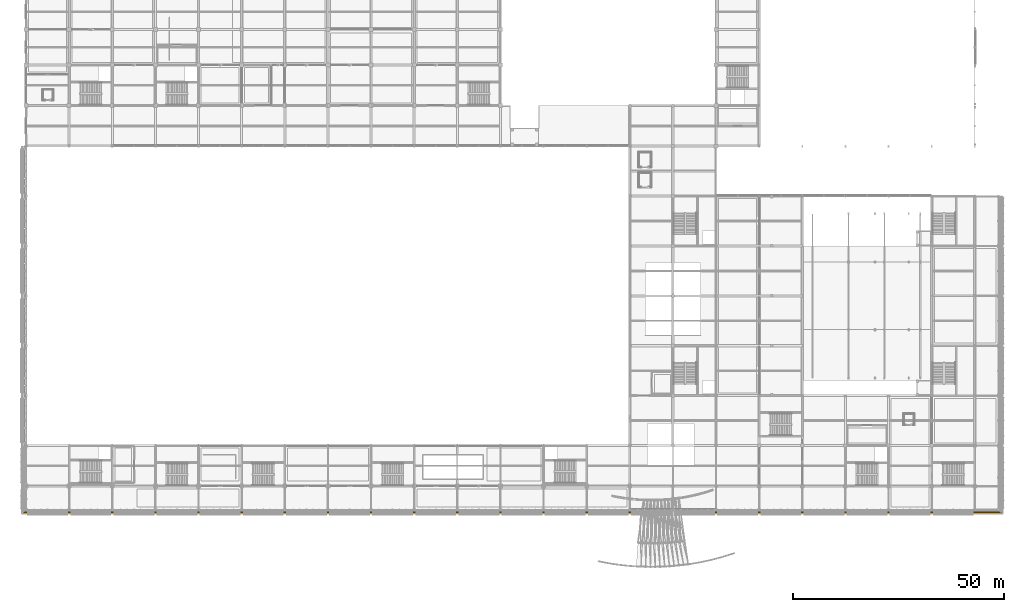
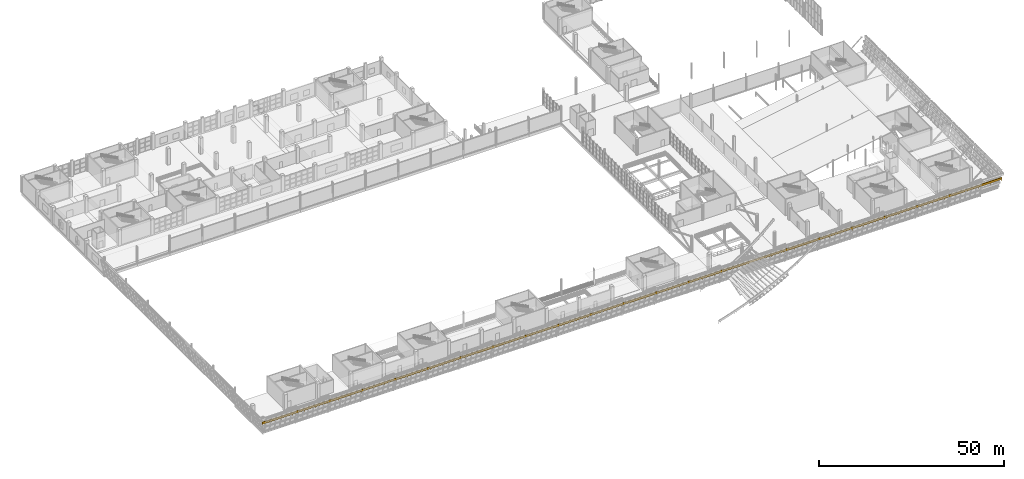
# One storey, part 156 of 175: 1 railing.
"""IFC4 building model written with IfcOpenShell, lengths in metres."""

import ifcopenshell
import ifcopenshell.guid

model = None  # the IFC model being written
_history = None  # IfcOwnerHistory: only IFC2X3 demands one
_inside = {}  # id of a spatial element -> (the spatial element, [elements in it])
_under = {}  # id of a project, library or spatial element -> (it, [spatial elements below it])
_declared = {}  # id of a project -> (the project, [libraries it declares])
_typed = {}  # id of a type object -> (the type object, [elements of that type])
_made_of = {}  # id of a material, layer set ... -> (it, [elements and type objects made of it])


def new_model(schema):
    """Start an empty IFC model of exactly this schema.

    Asked for "IFC4X3", IfcOpenShell would pick the latest addendum, in which some entities
    have other attributes; the version numbers below select the first issue.
    IFC2X3 requires an IfcOwnerHistory on every rooted entity: one is made here for all.
    """
    global model, _history
    if schema == "IFC4X3":
        model = ifcopenshell.file(schema_version=(4, 3, 0, 0))
    else:
        model = ifcopenshell.file(schema=schema)
    _inside.clear()
    _under.clear()
    _declared.clear()
    _typed.clear()
    _made_of.clear()
    _history = None
    if model.schema == "IFC2X3":
        org = make("IfcOrganization", Name="unknown")
        user = make(
            "IfcPersonAndOrganization",
            ThePerson=make("IfcPerson", FamilyName="unknown"),
            TheOrganization=org,
        )
        app = make(
            "IfcApplication",
            ApplicationDeveloper=org,
            Version="unknown",
            ApplicationFullName="unknown",
            ApplicationIdentifier="unknown",
        )
        _history = make(
            "IfcOwnerHistory",
            OwningUser=user,
            OwningApplication=app,
            ChangeAction="ADDED",
            CreationDate=0,
        )
    return model


def make(cls, **values):
    """One entity of the class cls with the attributes given. An attribute that is None is left unset."""
    return model.create_entity(
        cls, **{name: value for name, value in values.items() if value is not None}
    )


def rooted(cls, **values):
    """An entity with a GlobalId (a new one), such as an element, a storey or a relation."""
    return make(cls, GlobalId=ifcopenshell.guid.new(), OwnerHistory=_history, **values)


def si_unit(unit_type, name, prefix=None):
    """IfcSIUnit, for example si_unit("LENGTHUNIT", "METRE", prefix="MILLI")."""
    return make("IfcSIUnit", UnitType=unit_type, Prefix=prefix, Name=name)


def assignment(units):
    """IfcUnitAssignment: the units of a project."""
    return None if units is None else make("IfcUnitAssignment", Units=units)


def point(xyz):
    """IfcCartesianPoint."""
    return None if xyz is None else make("IfcCartesianPoint", Coordinates=xyz)


def direction(xyz):
    """IfcDirection."""
    return None if xyz is None else make("IfcDirection", DirectionRatios=xyz)


def frame(location, z_axis=None, x_axis=None):
    """IfcAxis2Placement3D, a coordinate frame: its origin and axes. An axis left out is left unset."""
    return make(
        "IfcAxis2Placement3D",
        Location=point(location),
        Axis=direction(z_axis),
        RefDirection=direction(x_axis),
    )


def frame_2d(location, x_axis=None):
    """IfcAxis2Placement2D, a coordinate frame in the plane: its origin and x axis."""
    return make(
        "IfcAxis2Placement2D", Location=point(location), RefDirection=direction(x_axis)
    )


def origin():
    """The frame at (0, 0, 0) with its axes left unset."""
    return frame((0.0, 0.0, 0.0))


def origin_2d():
    """The frame at (0, 0) in the plane with its x axis left unset."""
    return frame_2d((0.0, 0.0))


def place(relative_to, where):
    """IfcLocalPlacement: puts the frame where relative to a parent placement (None: the world)."""
    return make(
        "IfcLocalPlacement", PlacementRelTo=relative_to, RelativePlacement=where
    )


def context(
    kind, dimensions, precision=None, world=None, true_north=None, identifier=None
):
    """IfcGeometricRepresentationContext, for example the 3D "Model" context."""
    return make(
        "IfcGeometricRepresentationContext",
        ContextIdentifier=identifier,
        ContextType=kind,
        CoordinateSpaceDimension=dimensions,
        Precision=precision,
        WorldCoordinateSystem=world,
        TrueNorth=true_north,
    )


def subcontext(parent, identifier, kind, view, scale=None):
    """IfcGeometricRepresentationSubContext, for example "Body" below "Model"."""
    return make(
        "IfcGeometricRepresentationSubContext",
        ContextIdentifier=identifier,
        ContextType=kind,
        ParentContext=parent,
        TargetScale=scale,
        TargetView=view,
    )


def project(units=None, contexts=None):
    """IfcProject with its units and contexts."""
    return rooted(
        "IfcProject",
        Name="project",
        RepresentationContexts=contexts,
        UnitsInContext=assignment(units),
    )


def spatial(cls, under=None, at=None, **own):
    """A site, building, storey or space (cls), placed at a placement, below another one or the project."""
    s = rooted(cls, ObjectPlacement=at, **own)
    if under is not None:
        _under.setdefault(under.id(), (under, []))[1].append(s)
    return s


def profile(cls, at=None, kind="AREA", **sizes):
    """A parametric profile (cls). Its sizes go by their IFC names, for example OverallWidth=200.0."""
    return make(cls, ProfileType=kind, Position=at, **sizes)


def rectangle(**sizes):
    """IfcRectangleProfileDef."""
    return profile("IfcRectangleProfileDef", **sizes)


def circle(**sizes):
    """IfcCircleProfileDef."""
    return profile("IfcCircleProfileDef", **sizes)


def extrude(swept, where, along, depth):
    """IfcExtrudedAreaSolid: the profile swept, set in the frame where, extruded along a direction by depth."""
    return make(
        "IfcExtrudedAreaSolid",
        SweptArea=swept,
        Position=where,
        ExtrudedDirection=direction(along),
        Depth=depth,
    )


def shape(context_of_items, identifier, shape_type, items):
    """IfcShapeRepresentation: the items that make up one representation, for example the "Body"."""
    return make(
        "IfcShapeRepresentation",
        ContextOfItems=context_of_items,
        RepresentationIdentifier=identifier,
        RepresentationType=shape_type,
        Items=items,
    )


def material(Name=None, Category=None):
    """IfcMaterial."""
    return make("IfcMaterial", Name=Name, Category=Category)


def made_of(thing, what):
    """Note that an element or type object is made of a material, layer set ...; save() writes the relation."""
    if what is not None:
        _made_of.setdefault(what.id(), (what, []))[1].append(thing)
    return thing


def type_object(cls, material=None, **own):
    """A type object (cls), such as IfcWallType, which elements share."""
    return made_of(rooted(cls, **own), material)


def element(
    cls,
    number,
    at=None,
    inside=None,
    cuts=None,
    type_object=None,
    material=None,
    context=None,
    identifier="Body",
    shape_type=None,
    held_by="IfcProductDefinitionShape",
    body=None,
    shapes=None,
    **own,
):
    """One element of the class cls, such as IfcWall. Its Tag is "e" and its number.

    at: its placement. inside: the storey or other place that contains it. cuts: it is an
    opening in that element (IfcRelVoidsElement). A single representation is given by context,
    identifier, shape_type and body (its items); several are given by shapes. held_by: the class
    of the entity that holds the representations. save() writes the other relations.
    """
    e = rooted(cls, Tag="e%d" % number, ObjectPlacement=at, **own)
    if body is not None:
        shapes = [shape(context, identifier, shape_type, body)]
    if shapes is not None:
        e.Representation = make(held_by, Representations=shapes)
    if inside is not None:
        _inside.setdefault(inside.id(), (inside, []))[1].append(e)
    if cuts is not None:
        rooted(
            "IfcRelVoidsElement", RelatingBuildingElement=cuts, RelatedOpeningElement=e
        )
    if type_object is not None:
        _typed.setdefault(type_object.id(), (type_object, []))[1].append(e)
    return made_of(e, material)


def aggregate(whole, parts):
    """IfcRelAggregates: a whole, such as a stair, and the parts it consists of."""
    return rooted("IfcRelAggregates", RelatingObject=whole, RelatedObjects=parts)


def save(model, path):
    """Write the relations noted so far, then the file.

    IfcRelAggregates (storeys below a building ...), IfcRelContainedInSpatialStructure (elements
    in a storey), IfcRelDefinesByType, IfcRelAssociatesMaterial and IfcRelDeclares: one each for
    every whole, place, type object, material and project.
    """
    for whole, parts in _under.values():
        aggregate(whole, parts)
    for where, things in _inside.values():
        rooted(
            "IfcRelContainedInSpatialStructure",
            RelatedElements=things,
            RelatingStructure=where,
        )
    for kind, things in _typed.values():
        rooted("IfcRelDefinesByType", RelatedObjects=things, RelatingType=kind)
    for what, things in _made_of.values():
        rooted("IfcRelAssociatesMaterial", RelatedObjects=things, RelatingMaterial=what)
    for by, libraries in _declared.values():
        rooted("IfcRelDeclares", RelatingContext=by, RelatedDefinitions=libraries)
    model.write(path)


model = new_model("IFC4")

# Units and contexts
model_context = context("Model", 3, precision=1e-05, world=origin(), true_north=direction((0.0, 1.0)))
body_context = subcontext(model_context, "Body", "Model", "MODEL_VIEW")
ifc_project = project(units=[si_unit("LENGTHUNIT", "METRE"), si_unit("AREAUNIT", "SQUARE_METRE"), si_unit("VOLUMEUNIT", "CUBIC_METRE"), si_unit("PLANEANGLEUNIT", "RADIAN"), si_unit("MASSUNIT", "GRAM", prefix="KILO")], contexts=[model_context])

# Site, building, storey
site_placement = place(None, origin())
site = spatial("IfcSite", under=ifc_project, at=site_placement, CompositionType="ELEMENT")
building_placement = place(site_placement, origin())
building = spatial("IfcBuilding", under=site, at=building_placement, Name="Brelvane Convention Centre", CompositionType="ELEMENT")
storey_placement = place(building_placement, frame((0.0, 0.0, 5.39990234375)))
storey = spatial("IfcBuildingStorey", under=building, at=storey_placement, Name="L01", CompositionType="ELEMENT", Elevation=5.39990234375)

# Railing
ifc_material = material(Name="Steel E350 (350 MPa)", Category="steel")
railing_type = type_object("IfcRailingType", Name="Railing BL-CU-1", PredefinedType="BALUSTRADE", material=ifc_material)
railing_placement = place(storey_placement, frame((-0.6630859375, 12.9970703125, 2.400146484375)))
element("IfcRailing", 1, at=railing_placement, inside=storey, type_object=railing_type, Name="Railing BL-CU-1 L01-cu_hull_s_2", PredefinedType="BALUSTRADE", context=body_context, shape_type="SweptSolid", body=[
    extrude(rectangle(XDim=0.280029296875, YDim=0.6201171875, at=origin_2d()), frame((0.0, 0.0, 0.81005859375), z_axis=(1.0, 0.0, 0.0), x_axis=(0.0, 1.0, 0.0)), (0.0, 0.0, 1.0), 231.26611328125),
    extrude(circle(Radius=0.02099609375, at=origin_2d()), origin(), (0.0, 0.0, 1.0), 1.072021484375),
    extrude(circle(Radius=0.02099609375, at=origin_2d()), frame((1.1982421875, 0.0, 0.0)), (0.0, 0.0, 1.0), 1.072021484375),
    extrude(circle(Radius=0.02099609375, at=origin_2d()), frame((2.396484375, 0.0, 0.0)), (0.0, 0.0, 1.0), 1.072021484375),
    extrude(circle(Radius=0.02099609375, at=origin_2d()), frame((3.5947265625, 0.0, 0.0)), (0.0, 0.0, 1.0), 1.072021484375),
    extrude(circle(Radius=0.02099609375, at=origin_2d()), frame((4.79296875, 0.0, 0.0)), (0.0, 0.0, 1.0), 1.072021484375),
    extrude(circle(Radius=0.02099609375, at=origin_2d()), frame((5.991455078125, 0.0, 0.0)), (0.0, 0.0, 1.0), 1.072021484375),
    extrude(circle(Radius=0.02099609375, at=origin_2d()), frame((7.189697265625, 0.0, 0.0)), (0.0, 0.0, 1.0), 1.072021484375),
    extrude(circle(Radius=0.02099609375, at=origin_2d()), frame((8.387939453125, 0.0, 0.0)), (0.0, 0.0, 1.0), 1.072021484375),
    extrude(circle(Radius=0.02099609375, at=origin_2d()), frame((9.586181640625, 0.0, 0.0)), (0.0, 0.0, 1.0), 1.072021484375),
    extrude(circle(Radius=0.02099609375, at=origin_2d()), frame((10.784423828125, 0.0, 0.0)), (0.0, 0.0, 1.0), 1.072021484375),
    extrude(circle(Radius=0.02099609375, at=origin_2d()), frame((11.982666015625, 0.0, 0.0)), (0.0, 0.0, 1.0), 1.072021484375),
    extrude(circle(Radius=0.02099609375, at=origin_2d()), frame((13.180908203125, 0.0, 0.0)), (0.0, 0.0, 1.0), 1.072021484375),
    extrude(circle(Radius=0.02099609375, at=origin_2d()), frame((14.379150390625, 0.0, 0.0)), (0.0, 0.0, 1.0), 1.072021484375),
    extrude(circle(Radius=0.02099609375, at=origin_2d()), frame((15.577392578125, 0.0, 0.0)), (0.0, 0.0, 1.0), 1.072021484375),
    extrude(circle(Radius=0.02099609375, at=origin_2d()), frame((16.77587890625, 0.0, 0.0)), (0.0, 0.0, 1.0), 1.072021484375),
    extrude(circle(Radius=0.02099609375, at=origin_2d()), frame((17.97412109375, 0.0, 0.0)), (0.0, 0.0, 1.0), 1.072021484375),
    extrude(circle(Radius=0.02099609375, at=origin_2d()), frame((19.17236328125, 0.0, 0.0)), (0.0, 0.0, 1.0), 1.072021484375),
    extrude(circle(Radius=0.02099609375, at=origin_2d()), frame((20.37060546875, 0.0, 0.0)), (0.0, 0.0, 1.0), 1.072021484375),
    extrude(circle(Radius=0.02099609375, at=origin_2d()), frame((21.56884765625, 0.0, 0.0)), (0.0, 0.0, 1.0), 1.072021484375),
    extrude(circle(Radius=0.02099609375, at=origin_2d()), frame((22.76708984375, 0.0, 0.0)), (0.0, 0.0, 1.0), 1.072021484375),
    extrude(circle(Radius=0.02099609375, at=origin_2d()), frame((23.96533203125, 0.0, 0.0)), (0.0, 0.0, 1.0), 1.072021484375),
    extrude(circle(Radius=0.02099609375, at=origin_2d()), frame((25.16357421875, 0.0, 0.0)), (0.0, 0.0, 1.0), 1.072021484375),
    extrude(circle(Radius=0.02099609375, at=origin_2d()), frame((26.362060546875, 0.0, 0.0)), (0.0, 0.0, 1.0), 1.072021484375),
    extrude(circle(Radius=0.02099609375, at=origin_2d()), frame((27.560302734375, 0.0, 0.0)), (0.0, 0.0, 1.0), 1.072021484375),
    extrude(circle(Radius=0.02099609375, at=origin_2d()), frame((28.758544921875, 0.0, 0.0)), (0.0, 0.0, 1.0), 1.072021484375),
    extrude(circle(Radius=0.02099609375, at=origin_2d()), frame((29.956787109375, 0.0, 0.0)), (0.0, 0.0, 1.0), 1.072021484375),
    extrude(circle(Radius=0.02099609375, at=origin_2d()), frame((31.155029296875, 0.0, 0.0)), (0.0, 0.0, 1.0), 1.072021484375),
    extrude(circle(Radius=0.02099609375, at=origin_2d()), frame((32.353271484375, 0.0, 0.0)), (0.0, 0.0, 1.0), 1.072021484375),
    extrude(circle(Radius=0.02099609375, at=origin_2d()), frame((33.551513671875, 0.0, 0.0)), (0.0, 0.0, 1.0), 1.072021484375),
    extrude(circle(Radius=0.02099609375, at=origin_2d()), frame((34.749755859375, 0.0, 0.0)), (0.0, 0.0, 1.0), 1.072021484375),
    extrude(circle(Radius=0.02099609375, at=origin_2d()), frame((35.947998046875, 0.0, 0.0)), (0.0, 0.0, 1.0), 1.072021484375),
    extrude(circle(Radius=0.02099609375, at=origin_2d()), frame((37.146484375, 0.0, 0.0)), (0.0, 0.0, 1.0), 1.072021484375),
    extrude(circle(Radius=0.02099609375, at=origin_2d()), frame((38.3447265625, 0.0, 0.0)), (0.0, 0.0, 1.0), 1.072021484375),
    extrude(circle(Radius=0.02099609375, at=origin_2d()), frame((39.54296875, 0.0, 0.0)), (0.0, 0.0, 1.0), 1.072021484375),
    extrude(circle(Radius=0.02099609375, at=origin_2d()), frame((40.7412109375, 0.0, 0.0)), (0.0, 0.0, 1.0), 1.072021484375),
    extrude(circle(Radius=0.02099609375, at=origin_2d()), frame((41.939453125, 0.0, 0.0)), (0.0, 0.0, 1.0), 1.072021484375),
    extrude(circle(Radius=0.02099609375, at=origin_2d()), frame((43.1376953125, 0.0, 0.0)), (0.0, 0.0, 1.0), 1.072021484375),
    extrude(circle(Radius=0.02099609375, at=origin_2d()), frame((44.3359375, 0.0, 0.0)), (0.0, 0.0, 1.0), 1.072021484375),
    extrude(circle(Radius=0.02099609375, at=origin_2d()), frame((45.5341796875, 0.0, 0.0)), (0.0, 0.0, 1.0), 1.072021484375),
    extrude(circle(Radius=0.02099609375, at=origin_2d()), frame((46.732421875, 0.0, 0.0)), (0.0, 0.0, 1.0), 1.072021484375),
    extrude(circle(Radius=0.02099609375, at=origin_2d()), frame((47.930908203125, 0.0, 0.0)), (0.0, 0.0, 1.0), 1.072021484375),
    extrude(circle(Radius=0.02099609375, at=origin_2d()), frame((49.129150390625, 0.0, 0.0)), (0.0, 0.0, 1.0), 1.072021484375),
    extrude(circle(Radius=0.02099609375, at=origin_2d()), frame((50.327392578125, 0.0, 0.0)), (0.0, 0.0, 1.0), 1.072021484375),
    extrude(circle(Radius=0.02099609375, at=origin_2d()), frame((51.525634765625, 0.0, 0.0)), (0.0, 0.0, 1.0), 1.072021484375),
    extrude(circle(Radius=0.02099609375, at=origin_2d()), frame((52.723876953125, 0.0, 0.0)), (0.0, 0.0, 1.0), 1.072021484375),
    extrude(circle(Radius=0.02099609375, at=origin_2d()), frame((53.922119140625, 0.0, 0.0)), (0.0, 0.0, 1.0), 1.072021484375),
    extrude(circle(Radius=0.02099609375, at=origin_2d()), frame((55.120361328125, 0.0, 0.0)), (0.0, 0.0, 1.0), 1.072021484375),
    extrude(circle(Radius=0.02099609375, at=origin_2d()), frame((56.318603515625, 0.0, 0.0)), (0.0, 0.0, 1.0), 1.072021484375),
    extrude(circle(Radius=0.02099609375, at=origin_2d()), frame((57.516845703125, 0.0, 0.0)), (0.0, 0.0, 1.0), 1.072021484375),
    extrude(circle(Radius=0.02099609375, at=origin_2d()), frame((58.71533203125, 0.0, 0.0)), (0.0, 0.0, 1.0), 1.072021484375),
    extrude(circle(Radius=0.02099609375, at=origin_2d()), frame((59.91357421875, 0.0, 0.0)), (0.0, 0.0, 1.0), 1.072021484375),
    extrude(circle(Radius=0.02099609375, at=origin_2d()), frame((61.11181640625, 0.0, 0.0)), (0.0, 0.0, 1.0), 1.072021484375),
    extrude(circle(Radius=0.02099609375, at=origin_2d()), frame((62.31005859375, 0.0, 0.0)), (0.0, 0.0, 1.0), 1.072021484375),
    extrude(circle(Radius=0.02099609375, at=origin_2d()), frame((63.50830078125, 0.0, 0.0)), (0.0, 0.0, 1.0), 1.072021484375),
    extrude(circle(Radius=0.02099609375, at=origin_2d()), frame((64.70654296875, 0.0, 0.0)), (0.0, 0.0, 1.0), 1.072021484375),
    extrude(circle(Radius=0.02099609375, at=origin_2d()), frame((65.90478515625, 0.0, 0.0)), (0.0, 0.0, 1.0), 1.072021484375),
    extrude(circle(Radius=0.02099609375, at=origin_2d()), frame((67.10302734375, 0.0, 0.0)), (0.0, 0.0, 1.0), 1.072021484375),
    extrude(circle(Radius=0.02099609375, at=origin_2d()), frame((68.30126953125, 0.0, 0.0)), (0.0, 0.0, 1.0), 1.072021484375),
    extrude(circle(Radius=0.02099609375, at=origin_2d()), frame((69.499755859375, 0.0, 0.0)), (0.0, 0.0, 1.0), 1.072021484375),
    extrude(circle(Radius=0.02099609375, at=origin_2d()), frame((70.697998046875, 0.0, 0.0)), (0.0, 0.0, 1.0), 1.072021484375),
    extrude(circle(Radius=0.02099609375, at=origin_2d()), frame((71.896240234375, 0.0, 0.0)), (0.0, 0.0, 1.0), 1.072021484375),
    extrude(circle(Radius=0.02099609375, at=origin_2d()), frame((73.094482421875, 0.0, 0.0)), (0.0, 0.0, 1.0), 1.072021484375),
    extrude(circle(Radius=0.02099609375, at=origin_2d()), frame((74.292724609375, 0.0, 0.0)), (0.0, 0.0, 1.0), 1.072021484375),
    extrude(circle(Radius=0.02099609375, at=origin_2d()), frame((75.490966796875, 0.0, 0.0)), (0.0, 0.0, 1.0), 1.072021484375),
    extrude(circle(Radius=0.02099609375, at=origin_2d()), frame((76.689208984375, 0.0, 0.0)), (0.0, 0.0, 1.0), 1.072021484375),
    extrude(circle(Radius=0.02099609375, at=origin_2d()), frame((77.887451171875, 0.0, 0.0)), (0.0, 0.0, 1.0), 1.072021484375),
    extrude(circle(Radius=0.02099609375, at=origin_2d()), frame((79.0859375, 0.0, 0.0)), (0.0, 0.0, 1.0), 1.072021484375),
    extrude(circle(Radius=0.02099609375, at=origin_2d()), frame((80.2841796875, 0.0, 0.0)), (0.0, 0.0, 1.0), 1.072021484375),
    extrude(circle(Radius=0.02099609375, at=origin_2d()), frame((81.482421875, 0.0, 0.0)), (0.0, 0.0, 1.0), 1.072021484375),
    extrude(circle(Radius=0.02099609375, at=origin_2d()), frame((82.6806640625, 0.0, 0.0)), (0.0, 0.0, 1.0), 1.072021484375),
    extrude(circle(Radius=0.02099609375, at=origin_2d()), frame((83.87890625, 0.0, 0.0)), (0.0, 0.0, 1.0), 1.072021484375),
    extrude(circle(Radius=0.02099609375, at=origin_2d()), frame((85.0771484375, 0.0, 0.0)), (0.0, 0.0, 1.0), 1.072021484375),
    extrude(circle(Radius=0.02099609375, at=origin_2d()), frame((86.275390625, 0.0, 0.0)), (0.0, 0.0, 1.0), 1.072021484375),
    extrude(circle(Radius=0.02099609375, at=origin_2d()), frame((87.4736328125, 0.0, 0.0)), (0.0, 0.0, 1.0), 1.072021484375),
    extrude(circle(Radius=0.02099609375, at=origin_2d()), frame((88.671875, 0.0, 0.0)), (0.0, 0.0, 1.0), 1.072021484375),
    extrude(circle(Radius=0.02099609375, at=origin_2d()), frame((89.870361328125, 0.0, 0.0)), (0.0, 0.0, 1.0), 1.072021484375),
    extrude(circle(Radius=0.02099609375, at=origin_2d()), frame((91.068603515625, 0.0, 0.0)), (0.0, 0.0, 1.0), 1.072021484375),
    extrude(circle(Radius=0.02099609375, at=origin_2d()), frame((92.266845703125, 0.0, 0.0)), (0.0, 0.0, 1.0), 1.072021484375),
    extrude(circle(Radius=0.02099609375, at=origin_2d()), frame((93.465087890625, 0.0, 0.0)), (0.0, 0.0, 1.0), 1.072021484375),
    extrude(circle(Radius=0.02099609375, at=origin_2d()), frame((94.663330078125, 0.0, 0.0)), (0.0, 0.0, 1.0), 1.072021484375),
    extrude(circle(Radius=0.02099609375, at=origin_2d()), frame((95.861572265625, 0.0, 0.0)), (0.0, 0.0, 1.0), 1.072021484375),
    extrude(circle(Radius=0.02099609375, at=origin_2d()), frame((97.059814453125, 0.0, 0.0)), (0.0, 0.0, 1.0), 1.072021484375),
    extrude(circle(Radius=0.02099609375, at=origin_2d()), frame((98.258056640625, 0.0, 0.0)), (0.0, 0.0, 1.0), 1.072021484375),
    extrude(circle(Radius=0.02099609375, at=origin_2d()), frame((99.456298828125, 0.0, 0.0)), (0.0, 0.0, 1.0), 1.072021484375),
    extrude(circle(Radius=0.02099609375, at=origin_2d()), frame((100.65478515625, 0.0, 0.0)), (0.0, 0.0, 1.0), 1.072021484375),
    extrude(circle(Radius=0.02099609375, at=origin_2d()), frame((101.85302734375, 0.0, 0.0)), (0.0, 0.0, 1.0), 1.072021484375),
    extrude(circle(Radius=0.02099609375, at=origin_2d()), frame((103.05126953125, 0.0, 0.0)), (0.0, 0.0, 1.0), 1.072021484375),
    extrude(circle(Radius=0.02099609375, at=origin_2d()), frame((104.24951171875, 0.0, 0.0)), (0.0, 0.0, 1.0), 1.072021484375),
    extrude(circle(Radius=0.02099609375, at=origin_2d()), frame((105.44775390625, 0.0, 0.0)), (0.0, 0.0, 1.0), 1.072021484375),
    extrude(circle(Radius=0.02099609375, at=origin_2d()), frame((106.64599609375, 0.0, 0.0)), (0.0, 0.0, 1.0), 1.072021484375),
    extrude(circle(Radius=0.02099609375, at=origin_2d()), frame((107.84423828125, 0.0, 0.0)), (0.0, 0.0, 1.0), 1.072021484375),
    extrude(circle(Radius=0.02099609375, at=origin_2d()), frame((109.04248046875, 0.0, 0.0)), (0.0, 0.0, 1.0), 1.072021484375),
    extrude(circle(Radius=0.02099609375, at=origin_2d()), frame((110.24072265625, 0.0, 0.0)), (0.0, 0.0, 1.0), 1.072021484375),
    extrude(circle(Radius=0.02099609375, at=origin_2d()), frame((111.439208984375, 0.0, 0.0)), (0.0, 0.0, 1.0), 1.072021484375),
    extrude(circle(Radius=0.02099609375, at=origin_2d()), frame((112.637451171875, 0.0, 0.0)), (0.0, 0.0, 1.0), 1.072021484375),
    extrude(circle(Radius=0.02099609375, at=origin_2d()), frame((113.835693359375, 0.0, 0.0)), (0.0, 0.0, 1.0), 1.072021484375),
    extrude(circle(Radius=0.02099609375, at=origin_2d()), frame((115.033935546875, 0.0, 0.0)), (0.0, 0.0, 1.0), 1.072021484375),
    extrude(circle(Radius=0.02099609375, at=origin_2d()), frame((116.232177734375, 0.0, 0.0)), (0.0, 0.0, 1.0), 1.072021484375),
    extrude(circle(Radius=0.02099609375, at=origin_2d()), frame((117.430419921875, 0.0, 0.0)), (0.0, 0.0, 1.0), 1.072021484375),
    extrude(circle(Radius=0.02099609375, at=origin_2d()), frame((118.628662109375, 0.0, 0.0)), (0.0, 0.0, 1.0), 1.072021484375),
    extrude(circle(Radius=0.02099609375, at=origin_2d()), frame((119.826904296875, 0.0, 0.0)), (0.0, 0.0, 1.0), 1.072021484375),
    extrude(circle(Radius=0.02099609375, at=origin_2d()), frame((121.025390625, 0.0, 0.0)), (0.0, 0.0, 1.0), 1.072021484375),
    extrude(circle(Radius=0.02099609375, at=origin_2d()), frame((122.2236328125, 0.0, 0.0)), (0.0, 0.0, 1.0), 1.072021484375),
    extrude(circle(Radius=0.02099609375, at=origin_2d()), frame((123.421875, 0.0, 0.0)), (0.0, 0.0, 1.0), 1.072021484375),
    extrude(circle(Radius=0.02099609375, at=origin_2d()), frame((124.6201171875, 0.0, 0.0)), (0.0, 0.0, 1.0), 1.072021484375),
    extrude(circle(Radius=0.02099609375, at=origin_2d()), frame((125.818359375, 0.0, 0.0)), (0.0, 0.0, 1.0), 1.072021484375),
    extrude(circle(Radius=0.02099609375, at=origin_2d()), frame((127.0166015625, 0.0, 0.0)), (0.0, 0.0, 1.0), 1.072021484375),
    extrude(circle(Radius=0.02099609375, at=origin_2d()), frame((128.21484375, 0.0, 0.0)), (0.0, 0.0, 1.0), 1.072021484375),
    extrude(circle(Radius=0.02099609375, at=origin_2d()), frame((129.4130859375, 0.0, 0.0)), (0.0, 0.0, 1.0), 1.072021484375),
    extrude(circle(Radius=0.02099609375, at=origin_2d()), frame((130.611328125, 0.0, 0.0)), (0.0, 0.0, 1.0), 1.072021484375),
    extrude(circle(Radius=0.02099609375, at=origin_2d()), frame((131.809814453125, 0.0, 0.0)), (0.0, 0.0, 1.0), 1.072021484375),
    extrude(circle(Radius=0.02099609375, at=origin_2d()), frame((133.008056640625, 0.0, 0.0)), (0.0, 0.0, 1.0), 1.072021484375),
    extrude(circle(Radius=0.02099609375, at=origin_2d()), frame((134.206298828125, 0.0, 0.0)), (0.0, 0.0, 1.0), 1.072021484375),
    extrude(circle(Radius=0.02099609375, at=origin_2d()), frame((135.404541015625, 0.0, 0.0)), (0.0, 0.0, 1.0), 1.072021484375),
    extrude(circle(Radius=0.02099609375, at=origin_2d()), frame((136.602783203125, 0.0, 0.0)), (0.0, 0.0, 1.0), 1.072021484375),
    extrude(circle(Radius=0.02099609375, at=origin_2d()), frame((137.801025390625, 0.0, 0.0)), (0.0, 0.0, 1.0), 1.072021484375),
    extrude(circle(Radius=0.02099609375, at=origin_2d()), frame((138.999267578125, 0.0, 0.0)), (0.0, 0.0, 1.0), 1.072021484375),
    extrude(circle(Radius=0.02099609375, at=origin_2d()), frame((140.197509765625, 0.0, 0.0)), (0.0, 0.0, 1.0), 1.072021484375),
    extrude(circle(Radius=0.02099609375, at=origin_2d()), frame((141.395751953125, 0.0, 0.0)), (0.0, 0.0, 1.0), 1.072021484375),
    extrude(circle(Radius=0.02099609375, at=origin_2d()), frame((142.59423828125, 0.0, 0.0)), (0.0, 0.0, 1.0), 1.072021484375),
    extrude(circle(Radius=0.02099609375, at=origin_2d()), frame((143.79248046875, 0.0, 0.0)), (0.0, 0.0, 1.0), 1.072021484375),
    extrude(circle(Radius=0.02099609375, at=origin_2d()), frame((144.99072265625, 0.0, 0.0)), (0.0, 0.0, 1.0), 1.072021484375),
    extrude(circle(Radius=0.02099609375, at=origin_2d()), frame((146.18896484375, 0.0, 0.0)), (0.0, 0.0, 1.0), 1.072021484375),
    extrude(circle(Radius=0.02099609375, at=origin_2d()), frame((147.38720703125, 0.0, 0.0)), (0.0, 0.0, 1.0), 1.072021484375),
    extrude(circle(Radius=0.02099609375, at=origin_2d()), frame((148.58544921875, 0.0, 0.0)), (0.0, 0.0, 1.0), 1.072021484375),
    extrude(circle(Radius=0.02099609375, at=origin_2d()), frame((149.78369140625, 0.0, 0.0)), (0.0, 0.0, 1.0), 1.072021484375),
    extrude(circle(Radius=0.02099609375, at=origin_2d()), frame((150.98193359375, 0.0, 0.0)), (0.0, 0.0, 1.0), 1.072021484375),
    extrude(circle(Radius=0.02099609375, at=origin_2d()), frame((152.18017578125, 0.0, 0.0)), (0.0, 0.0, 1.0), 1.072021484375),
    extrude(circle(Radius=0.02099609375, at=origin_2d()), frame((153.378662109375, 0.0, 0.0)), (0.0, 0.0, 1.0), 1.072021484375),
    extrude(circle(Radius=0.02099609375, at=origin_2d()), frame((154.576904296875, 0.0, 0.0)), (0.0, 0.0, 1.0), 1.072021484375),
    extrude(circle(Radius=0.02099609375, at=origin_2d()), frame((155.775146484375, 0.0, 0.0)), (0.0, 0.0, 1.0), 1.072021484375),
    extrude(circle(Radius=0.02099609375, at=origin_2d()), frame((156.973388671875, 0.0, 0.0)), (0.0, 0.0, 1.0), 1.072021484375),
    extrude(circle(Radius=0.02099609375, at=origin_2d()), frame((158.171630859375, 0.0, 0.0)), (0.0, 0.0, 1.0), 1.072021484375),
    extrude(circle(Radius=0.02099609375, at=origin_2d()), frame((159.369873046875, 0.0, 0.0)), (0.0, 0.0, 1.0), 1.072021484375),
    extrude(circle(Radius=0.02099609375, at=origin_2d()), frame((160.568115234375, 0.0, 0.0)), (0.0, 0.0, 1.0), 1.072021484375),
    extrude(circle(Radius=0.02099609375, at=origin_2d()), frame((161.766357421875, 0.0, 0.0)), (0.0, 0.0, 1.0), 1.072021484375),
    extrude(circle(Radius=0.02099609375, at=origin_2d()), frame((162.96484375, 0.0, 0.0)), (0.0, 0.0, 1.0), 1.072021484375),
    extrude(circle(Radius=0.02099609375, at=origin_2d()), frame((164.1630859375, 0.0, 0.0)), (0.0, 0.0, 1.0), 1.072021484375),
    extrude(circle(Radius=0.02099609375, at=origin_2d()), frame((165.361328125, 0.0, 0.0)), (0.0, 0.0, 1.0), 1.072021484375),
    extrude(circle(Radius=0.02099609375, at=origin_2d()), frame((166.5595703125, 0.0, 0.0)), (0.0, 0.0, 1.0), 1.072021484375),
    extrude(circle(Radius=0.02099609375, at=origin_2d()), frame((167.7578125, 0.0, 0.0)), (0.0, 0.0, 1.0), 1.072021484375),
    extrude(circle(Radius=0.02099609375, at=origin_2d()), frame((168.9560546875, 0.0, 0.0)), (0.0, 0.0, 1.0), 1.072021484375),
    extrude(circle(Radius=0.02099609375, at=origin_2d()), frame((170.154296875, 0.0, 0.0)), (0.0, 0.0, 1.0), 1.072021484375),
    extrude(circle(Radius=0.02099609375, at=origin_2d()), frame((171.3525390625, 0.0, 0.0)), (0.0, 0.0, 1.0), 1.072021484375),
    extrude(circle(Radius=0.02099609375, at=origin_2d()), frame((172.55078125, 0.0, 0.0)), (0.0, 0.0, 1.0), 1.072021484375),
    extrude(circle(Radius=0.02099609375, at=origin_2d()), frame((173.749267578125, 0.0, 0.0)), (0.0, 0.0, 1.0), 1.072021484375),
    extrude(circle(Radius=0.02099609375, at=origin_2d()), frame((174.947509765625, 0.0, 0.0)), (0.0, 0.0, 1.0), 1.072021484375),
    extrude(circle(Radius=0.02099609375, at=origin_2d()), frame((176.145751953125, 0.0, 0.0)), (0.0, 0.0, 1.0), 1.072021484375),
    extrude(circle(Radius=0.02099609375, at=origin_2d()), frame((177.343994140625, 0.0, 0.0)), (0.0, 0.0, 1.0), 1.072021484375),
    extrude(circle(Radius=0.02099609375, at=origin_2d()), frame((178.542236328125, 0.0, 0.0)), (0.0, 0.0, 1.0), 1.072021484375),
    extrude(circle(Radius=0.02099609375, at=origin_2d()), frame((179.740478515625, 0.0, 0.0)), (0.0, 0.0, 1.0), 1.072021484375),
    extrude(circle(Radius=0.02099609375, at=origin_2d()), frame((180.938720703125, 0.0, 0.0)), (0.0, 0.0, 1.0), 1.072021484375),
    extrude(circle(Radius=0.02099609375, at=origin_2d()), frame((182.136962890625, 0.0, 0.0)), (0.0, 0.0, 1.0), 1.072021484375),
    extrude(circle(Radius=0.02099609375, at=origin_2d()), frame((183.335205078125, 0.0, 0.0)), (0.0, 0.0, 1.0), 1.072021484375),
    extrude(circle(Radius=0.02099609375, at=origin_2d()), frame((184.53369140625, 0.0, 0.0)), (0.0, 0.0, 1.0), 1.072021484375),
    extrude(circle(Radius=0.02099609375, at=origin_2d()), frame((185.73193359375, 0.0, 0.0)), (0.0, 0.0, 1.0), 1.072021484375),
    extrude(circle(Radius=0.02099609375, at=origin_2d()), frame((186.93017578125, 0.0, 0.0)), (0.0, 0.0, 1.0), 1.072021484375),
    extrude(circle(Radius=0.02099609375, at=origin_2d()), frame((188.12841796875, 0.0, 0.0)), (0.0, 0.0, 1.0), 1.072021484375),
    extrude(circle(Radius=0.02099609375, at=origin_2d()), frame((189.32666015625, 0.0, 0.0)), (0.0, 0.0, 1.0), 1.072021484375),
    extrude(circle(Radius=0.02099609375, at=origin_2d()), frame((190.52490234375, 0.0, 0.0)), (0.0, 0.0, 1.0), 1.072021484375),
    extrude(circle(Radius=0.02099609375, at=origin_2d()), frame((191.72314453125, 0.0, 0.0)), (0.0, 0.0, 1.0), 1.072021484375),
    extrude(circle(Radius=0.02099609375, at=origin_2d()), frame((192.92138671875, 0.0, 0.0)), (0.0, 0.0, 1.0), 1.072021484375),
    extrude(circle(Radius=0.02099609375, at=origin_2d()), frame((194.11962890625, 0.0, 0.0)), (0.0, 0.0, 1.0), 1.072021484375),
    extrude(circle(Radius=0.02099609375, at=origin_2d()), frame((195.318115234375, 0.0, 0.0)), (0.0, 0.0, 1.0), 1.072021484375),
    extrude(circle(Radius=0.02099609375, at=origin_2d()), frame((196.516357421875, 0.0, 0.0)), (0.0, 0.0, 1.0), 1.072021484375),
    extrude(circle(Radius=0.02099609375, at=origin_2d()), frame((197.714599609375, 0.0, 0.0)), (0.0, 0.0, 1.0), 1.072021484375),
    extrude(circle(Radius=0.02099609375, at=origin_2d()), frame((198.912841796875, 0.0, 0.0)), (0.0, 0.0, 1.0), 1.072021484375),
    extrude(circle(Radius=0.02099609375, at=origin_2d()), frame((200.111083984375, 0.0, 0.0)), (0.0, 0.0, 1.0), 1.072021484375),
    extrude(circle(Radius=0.02099609375, at=origin_2d()), frame((201.309326171875, 0.0, 0.0)), (0.0, 0.0, 1.0), 1.072021484375),
    extrude(circle(Radius=0.02099609375, at=origin_2d()), frame((202.507568359375, 0.0, 0.0)), (0.0, 0.0, 1.0), 1.072021484375),
    extrude(circle(Radius=0.02099609375, at=origin_2d()), frame((203.705810546875, 0.0, 0.0)), (0.0, 0.0, 1.0), 1.072021484375),
    extrude(circle(Radius=0.02099609375, at=origin_2d()), frame((204.904052734375, 0.0, 0.0)), (0.0, 0.0, 1.0), 1.072021484375),
    extrude(circle(Radius=0.02099609375, at=origin_2d()), frame((206.1025390625, 0.0, 0.0)), (0.0, 0.0, 1.0), 1.072021484375),
    extrude(circle(Radius=0.02099609375, at=origin_2d()), frame((207.30078125, 0.0, 0.0)), (0.0, 0.0, 1.0), 1.072021484375),
    extrude(circle(Radius=0.02099609375, at=origin_2d()), frame((208.4990234375, 0.0, 0.0)), (0.0, 0.0, 1.0), 1.072021484375),
    extrude(circle(Radius=0.02099609375, at=origin_2d()), frame((209.697265625, 0.0, 0.0)), (0.0, 0.0, 1.0), 1.072021484375),
    extrude(circle(Radius=0.02099609375, at=origin_2d()), frame((210.8955078125, 0.0, 0.0)), (0.0, 0.0, 1.0), 1.072021484375),
    extrude(circle(Radius=0.02099609375, at=origin_2d()), frame((212.09375, 0.0, 0.0)), (0.0, 0.0, 1.0), 1.072021484375),
    extrude(circle(Radius=0.02099609375, at=origin_2d()), frame((213.2919921875, 0.0, 0.0)), (0.0, 0.0, 1.0), 1.072021484375),
    extrude(circle(Radius=0.02099609375, at=origin_2d()), frame((214.490234375, 0.0, 0.0)), (0.0, 0.0, 1.0), 1.072021484375),
    extrude(circle(Radius=0.02099609375, at=origin_2d()), frame((215.688720703125, 0.0, 0.0)), (0.0, 0.0, 1.0), 1.072021484375),
    extrude(circle(Radius=0.02099609375, at=origin_2d()), frame((216.886962890625, 0.0, 0.0)), (0.0, 0.0, 1.0), 1.072021484375),
    extrude(circle(Radius=0.02099609375, at=origin_2d()), frame((218.085205078125, 0.0, 0.0)), (0.0, 0.0, 1.0), 1.072021484375),
    extrude(circle(Radius=0.02099609375, at=origin_2d()), frame((219.283447265625, 0.0, 0.0)), (0.0, 0.0, 1.0), 1.072021484375),
    extrude(circle(Radius=0.02099609375, at=origin_2d()), frame((220.481689453125, 0.0, 0.0)), (0.0, 0.0, 1.0), 1.072021484375),
    extrude(circle(Radius=0.02099609375, at=origin_2d()), frame((221.679931640625, 0.0, 0.0)), (0.0, 0.0, 1.0), 1.072021484375),
    extrude(circle(Radius=0.02099609375, at=origin_2d()), frame((222.878173828125, 0.0, 0.0)), (0.0, 0.0, 1.0), 1.072021484375),
    extrude(circle(Radius=0.02099609375, at=origin_2d()), frame((224.076416015625, 0.0, 0.0)), (0.0, 0.0, 1.0), 1.072021484375),
    extrude(circle(Radius=0.02099609375, at=origin_2d()), frame((225.274658203125, 0.0, 0.0)), (0.0, 0.0, 1.0), 1.072021484375),
    extrude(circle(Radius=0.02099609375, at=origin_2d()), frame((226.47314453125, 0.0, 0.0)), (0.0, 0.0, 1.0), 1.072021484375),
    extrude(circle(Radius=0.02099609375, at=origin_2d()), frame((227.67138671875, 0.0, 0.0)), (0.0, 0.0, 1.0), 1.072021484375),
    extrude(circle(Radius=0.02099609375, at=origin_2d()), frame((228.86962890625, 0.0, 0.0)), (0.0, 0.0, 1.0), 1.072021484375),
    extrude(circle(Radius=0.02099609375, at=origin_2d()), frame((230.06787109375, 0.0, 0.0)), (0.0, 0.0, 1.0), 1.072021484375),
    extrude(circle(Radius=0.02099609375, at=origin_2d()), frame((231.26611328125, 0.0, 0.0)), (0.0, 0.0, 1.0), 1.072021484375),
])

save(model, "model.ifc")
